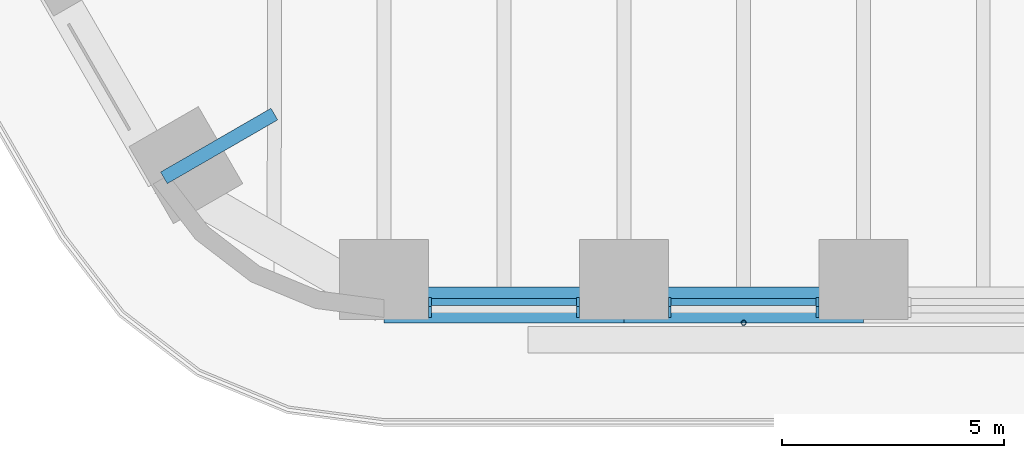
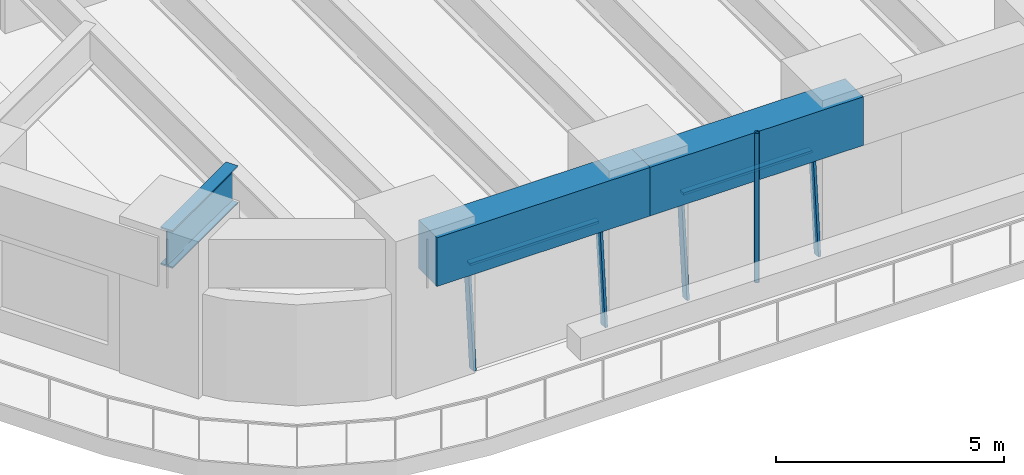
# One storey, part 2 of 23: 7 members, 3 beams, 2 elements without a shape of their own.
"""IFC4 building model written with IfcOpenShell, lengths in metres."""

from ifc_helpers import new_model, si_unit, direction, frame, origin, origin_2d, place, context, subcontext, project, spatial, rectangle, hollow_circle, i_section, extrude, material, material_profile, profile_set, type_object, element, aggregate, save


model = new_model("IFC4")

# Units and contexts
model_context = context("Model", 3, precision=1e-05, world=origin(), true_north=direction((0.0, 1.0)))
body_context = subcontext(model_context, "Body", "Model", "MODEL_VIEW")
ifc_project = project(units=[si_unit("LENGTHUNIT", "METRE"), si_unit("AREAUNIT", "SQUARE_METRE"), si_unit("VOLUMEUNIT", "CUBIC_METRE"), si_unit("PLANEANGLEUNIT", "RADIAN"), si_unit("MASSUNIT", "GRAM", prefix="KILO")], contexts=[model_context])

# Site, building, storey
site_placement = place(None, origin())
site = spatial("IfcSite", under=ifc_project, at=site_placement, CompositionType="ELEMENT")
building_placement = place(site_placement, origin())
building = spatial("IfcBuilding", under=site, at=building_placement, Name="Tarfa Lantern Tower", CompositionType="ELEMENT")
storey_placement = place(building_placement, frame((0.0, 0.0, 61.300048828125)))
storey = spatial("IfcBuildingStorey", under=building, at=storey_placement, Name="L13", CompositionType="ELEMENT", Elevation=61.300048828125)

# Curtain wall, members
ifc_material_1 = material(Name="Aluminium framed curtain wall", Category="aluminium")
curtain_wall_type = type_object("IfcCurtainWallType", Name="CW1 CANTED GLAZING LOW ZONE 2700", PredefinedType="USERDEFINED", material=ifc_material_1)
curtain_wall_1_placement = place(storey_placement, origin())
curtain_wall_1 = element("IfcCurtainWall", 1, at=curtain_wall_1_placement, inside=storey, type_object=curtain_wall_type, Name="CW1 S L13", ObjectType="CURTAIN WALL", PredefinedType="USERDEFINED")
ifc_material_2 = material(Name="Aluminium mullion", Category="aluminium")
ifc_material_profile_1 = material_profile(ifc_material_2, rectangle(XDim=0.06494140625, YDim=0.199951171875, at=origin_2d()), Name="AL MULLION 65x200")
ifc_profile_set_1 = profile_set([ifc_material_profile_1], Name="Aluminium mullion")
member_type_1 = type_object("IfcMemberType", Name="CWM1 MULLION 65x200", PredefinedType="MULLION", material=ifc_profile_set_1)
member_1_placement = place(storey_placement, frame((-15.13330078125, -33.89990234375, 0.0), z_axis=(0.0, 0.092199863775, 0.995740520979), x_axis=(-1.0, 0.0, 0.0)))
member_1 = element("IfcMember", 2, at=member_1_placement, type_object=member_type_1, Name="CW1 mullion 1", PredefinedType="MULLION", context=body_context, shape_type="SweptSolid", body=[
    extrude(rectangle(XDim=0.06494140625, YDim=0.199951171875, at=origin_2d()), origin(), (0.0, 0.0, 1.0), 2.71142578125),
])
member_2_placement = place(storey_placement, frame((-11.809814453125, -33.89990234375, 0.0), z_axis=(0.0, 0.092199863775, 0.995740520979), x_axis=(-1.0, 0.0, 0.0)))
member_2 = element("IfcMember", 3, at=member_2_placement, type_object=member_type_1, Name="CW1 mullion 2", PredefinedType="MULLION", context=body_context, shape_type="SweptSolid", body=[
    extrude(rectangle(XDim=0.06494140625, YDim=0.199951171875, at=origin_2d()), origin(), (0.0, 0.0, 1.0), 2.71142578125),
])

curtain_wall_2_placement = place(storey_placement, origin())
curtain_wall_2 = element("IfcCurtainWall", 4, at=curtain_wall_2_placement, inside=storey, type_object=curtain_wall_type, Name="CW1 S L13", ObjectType="CURTAIN WALL", PredefinedType="USERDEFINED")
member_3_placement = place(storey_placement, frame((-9.74462890625, -33.89990234375, 0.0), z_axis=(0.0, 0.092199863775, 0.995740520979), x_axis=(-1.0, 0.0, 0.0)))
member_3 = element("IfcMember", 5, at=member_3_placement, type_object=member_type_1, Name="CW1 mullion 1", PredefinedType="MULLION", context=body_context, shape_type="SweptSolid", body=[
    extrude(rectangle(XDim=0.06494140625, YDim=0.199951171875, at=origin_2d()), origin(), (0.0, 0.0, 1.0), 2.71142578125),
])
member_4_placement = place(storey_placement, frame((-6.421142578125, -33.89990234375, 0.0), z_axis=(0.0, 0.092199863775, 0.995740520979), x_axis=(-1.0, 0.0, 0.0)))
member_4 = element("IfcMember", 6, at=member_4_placement, type_object=member_type_1, Name="CW1 mullion 2", PredefinedType="MULLION", context=body_context, shape_type="SweptSolid", body=[
    extrude(rectangle(XDim=0.06494140625, YDim=0.199951171875, at=origin_2d()), origin(), (0.0, 0.0, 1.0), 2.71142578125),
])

# Member
ifc_material_3 = material(Name="Aluminium transom", Category="aluminium")
ifc_material_profile_2 = material_profile(ifc_material_3, rectangle(XDim=0.14990234375, YDim=0.06494140625, at=origin_2d()), Name="AL TRANSOM 150x65")
ifc_profile_set_2 = profile_set([ifc_material_profile_2], Name="Aluminium transom")
member_type_2 = type_object("IfcMemberType", Name="CWT1 TRANSOM 150x65", PredefinedType="USERDEFINED", material=ifc_profile_set_2)
member_5_placement = place(storey_placement, frame((-15.100830078125, -33.653076171875, 2.66748046875), z_axis=(1.0, 0.0, 0.0), x_axis=(0.0, 1.0, 0.0)))
member_5 = element("IfcMember", 7, at=member_5_placement, type_object=member_type_2, Name="CW1 transom 1.2", ObjectType="TRANSOM", PredefinedType="USERDEFINED", context=body_context, shape_type="SweptSolid", body=[
    extrude(rectangle(XDim=0.14990234375, YDim=0.06494140625, at=origin_2d()), origin(), (0.0, 0.0, 1.0), 3.258544921875),
])

aggregate(curtain_wall_1, [member_1, member_2, member_5])

member_6_placement = place(storey_placement, frame((-9.712158203125, -33.653076171875, 2.66748046875), z_axis=(1.0, 0.0, 0.0), x_axis=(0.0, 1.0, 0.0)))
member_6 = element("IfcMember", 8, at=member_6_placement, type_object=member_type_2, Name="CW1 transom 1.2", ObjectType="TRANSOM", PredefinedType="USERDEFINED", context=body_context, shape_type="SweptSolid", body=[
    extrude(rectangle(XDim=0.14990234375, YDim=0.06494140625, at=origin_2d()), origin(), (0.0, 0.0, 1.0), 3.258544921875),
])

aggregate(curtain_wall_2, [member_3, member_4, member_6])

# Beams
ifc_material_4 = material(Name="Concrete C80/95", Category="concrete")
ifc_material_profile_3 = material_profile(ifc_material_4, rectangle(XDim=0.800048828125, YDim=1.300048828125, at=origin_2d()), Name="RC 800x1300")
ifc_profile_set_3 = profile_set([ifc_material_profile_3], Name="Concrete C80/95")
beam_type_1 = type_object("IfcBeamType", Name="EB1 RC 800x1300", PredefinedType="SPANDREL", material=ifc_profile_set_3)
beam_1_placement = place(storey_placement, frame((-16.165771484375, -33.719970703125, 3.349853515625), z_axis=(1.0, 0.0, 0.0), x_axis=(0.0, 1.0, 0.0)))
element("IfcBeam", 9, at=beam_1_placement, inside=storey, type_object=beam_type_1, Name="Edge beam S0", PredefinedType="SPANDREL", context=body_context, shape_type="SweptSolid", body=[
    extrude(rectangle(XDim=0.800048828125, YDim=1.300048828125, at=origin_2d()), origin(), (0.0, 0.0, 1.0), 5.388671875),
])
beam_2_placement = place(storey_placement, frame((-10.777099609375, -33.719970703125, 3.349853515625), z_axis=(1.0, 0.0, 0.0), x_axis=(0.0, 1.0, 0.0)))
element("IfcBeam", 10, at=beam_2_placement, inside=storey, type_object=beam_type_1, Name="Edge beam S1", PredefinedType="SPANDREL", context=body_context, shape_type="SweptSolid", body=[
    extrude(rectangle(XDim=0.800048828125, YDim=1.300048828125, at=origin_2d()), origin(), (0.0, 0.0, 1.0), 5.388427734375),
])

# Member
ifc_material_5 = material(Name="Steel S355", Category="steel")
ifc_material_profile_4 = material_profile(ifc_material_5, hollow_circle(Radius=0.05712890625, WallThickness=0.00634765625, at=origin_2d()), Name="CHS114.3x6.3")
ifc_profile_set_4 = profile_set([ifc_material_profile_4], Name="Steel S355")
member_type_3 = type_object("IfcMemberType", Name="TR1 GREEN WALL TRELLIS CHS114.3x6.3", PredefinedType="USERDEFINED", material=ifc_profile_set_4)
member_7_placement = place(storey_placement, frame((-8.0830078125, -34.1201171875, 0.0), z_axis=(0.0, 0.0, 1.0), x_axis=(1.0, 0.0, 0.0)))
element("IfcMember", 11, at=member_7_placement, inside=storey, type_object=member_type_3, Name="Trellis post S 1", ObjectType="TRELLIS", PredefinedType="USERDEFINED", context=body_context, shape_type="SweptSolid", body=[
    extrude(hollow_circle(Radius=0.05712890625, WallThickness=0.00634765625, at=origin_2d()), origin(), (0.0, 0.0, 1.0), 4.0),
])

# Beam
ifc_material_6 = material(Name="Steel S460M", Category="steel")
ifc_material_profile_5 = material_profile(ifc_material_6, i_section(OverallWidth=0.302001953125, OverallDepth=1.008056640625, WebThickness=0.02099609375, FlangeThickness=0.0400390625, FilletRadius=0.030029296875, at=origin_2d()), Name="UB1016x305x349")
ifc_profile_set_5 = profile_set([ifc_material_profile_5], Name="Steel S460M")
beam_type_2 = type_object("IfcBeamType", Name="UB1016x305x349", PredefinedType="BEAM", material=ifc_profile_set_5)
beam_3_placement = place(storey_placement, frame((-21.119384765625, -30.860107421875, 3.495849609375), z_axis=(0.866012580594, 0.500022209759, 0.0), x_axis=(-0.500022209759, 0.866012580594, 0.0)))
element("IfcBeam", 12, at=beam_3_placement, inside=storey, type_object=beam_type_2, Name="Floor beam SW6", PredefinedType="BEAM", context=body_context, shape_type="SweptSolid", body=[
    extrude(i_section(OverallWidth=0.302001953125, OverallDepth=1.008056640625, WebThickness=0.02099609375, FlangeThickness=0.0400390625, FilletRadius=0.030029296875, at=origin_2d()), origin(), (0.0, 0.0, 1.0), 2.866943359375),
])

save(model, "model.ifc")
